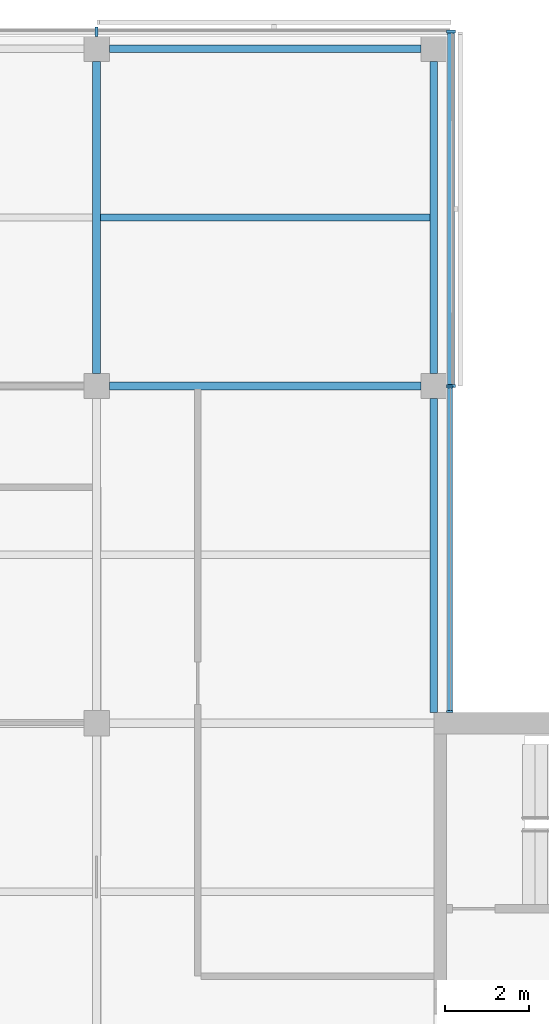
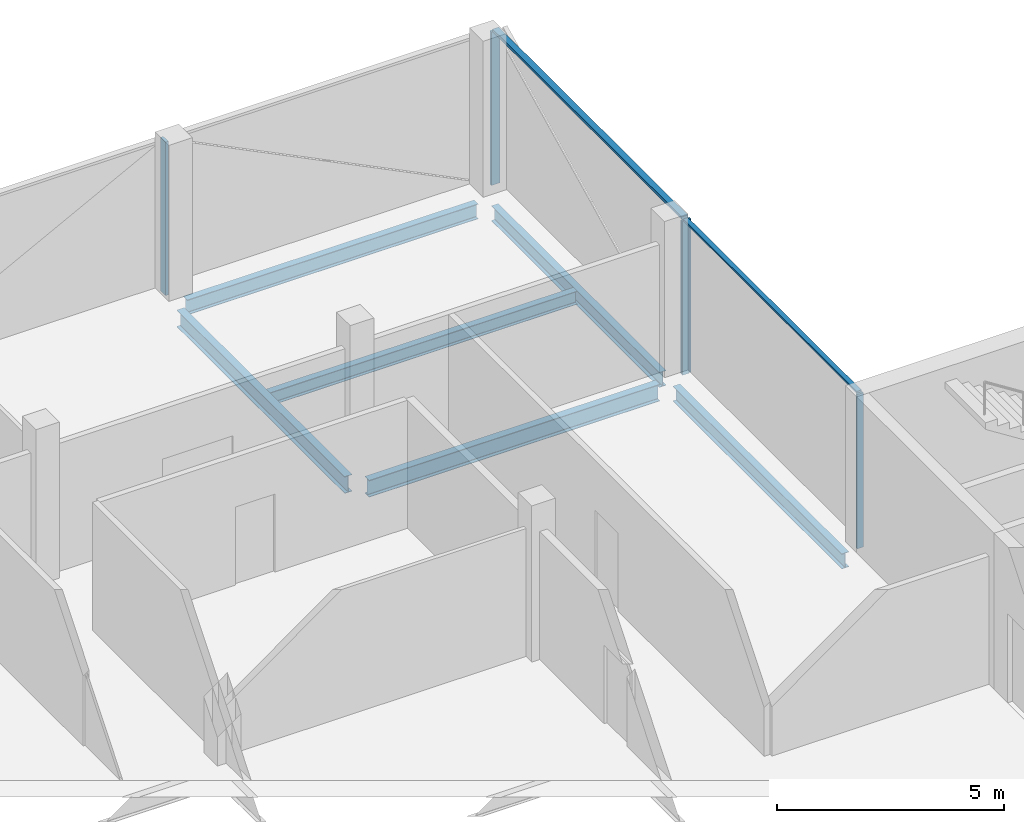
# One storey, part 7 of 15: 7 members, 6 beams, 3 elements without a shape of their own.
"""IFC4 building model written with IfcOpenShell, lengths in metres."""

from ifc_helpers import new_model, si_unit, direction, frame, origin, origin_2d, place, context, subcontext, project, spatial, rectangle, i_section, extrude, material, material_profile, profile_set, type_object, element, aggregate, save


model = new_model("IFC4")

# Units and contexts
model_context = context("Model", 3, precision=1e-05, world=origin(), true_north=direction((0.0, 1.0)))
body_context = subcontext(model_context, "Body", "Model", "MODEL_VIEW")
ifc_project = project(units=[si_unit("LENGTHUNIT", "METRE"), si_unit("AREAUNIT", "SQUARE_METRE"), si_unit("VOLUMEUNIT", "CUBIC_METRE"), si_unit("PLANEANGLEUNIT", "RADIAN"), si_unit("MASSUNIT", "GRAM", prefix="KILO")], contexts=[model_context])

# Site, building, storey
site_placement = place(None, origin())
site = spatial("IfcSite", under=ifc_project, at=site_placement, CompositionType="ELEMENT")
building_placement = place(site_placement, origin())
building = spatial("IfcBuilding", under=site, at=building_placement, Name="Crosswind Convention Tower", CompositionType="ELEMENT")
storey_placement = place(building_placement, frame((0.0, 0.0, 319.699951171875)))
storey = spatial("IfcBuildingStorey", under=building, at=storey_placement, Name="L69", CompositionType="ELEMENT", Elevation=319.699951171875)

# Beams
ifc_material_1 = material(Name="Steel S355", Category="steel")
ifc_material_profile_1 = material_profile(ifc_material_1, i_section(OverallWidth=0.177734375, OverallDepth=0.406494140625, WebThickness=0.0078125, FlangeThickness=0.0126953125, FilletRadius=0.01025390625, at=origin_2d()), Name="UB 406x178x60")
ifc_profile_set_1 = profile_set([ifc_material_profile_1], Name="Steel S355")
beam_type_1 = type_object("IfcBeamType", Name="Edge beam UB 406x178x60", PredefinedType="SPANDREL", material=ifc_profile_set_1)
beam_1_placement = place(storey_placement, frame((129.300048828125, 128.0, -0.503173828125), z_axis=(1.0, 0.0, 0.0), x_axis=(0.0, 1.0, 0.0)))
element("IfcBeam", 1, at=beam_1_placement, inside=storey, type_object=beam_type_1, Name="B15 L69 edge beam 10", PredefinedType="SPANDREL", context=body_context, shape_type="SweptSolid", body=[
    extrude(i_section(OverallWidth=0.177734375, OverallDepth=0.406494140625, WebThickness=0.0078125, FlangeThickness=0.0126953125, FilletRadius=0.01025390625, at=origin_2d()), origin(), (0.0, 0.0, 1.0), 7.39990234375),
])
beam_2_placement = place(storey_placement, frame((137.0, 112.25, -0.503173828125), z_axis=(0.0, 1.0, 0.0), x_axis=(-1.0, 0.0, 0.0)))
element("IfcBeam", 2, at=beam_2_placement, inside=storey, type_object=beam_type_1, Name="B15 L69 edge beam 13", PredefinedType="SPANDREL", context=body_context, shape_type="SweptSolid", body=[
    extrude(i_section(OverallWidth=0.177734375, OverallDepth=0.406494140625, WebThickness=0.0078125, FlangeThickness=0.0126953125, FilletRadius=0.01025390625, at=origin_2d()), origin(), (0.0, 0.0, 1.0), 7.449951171875),
])
beam_3_placement = place(storey_placement, frame((137.0, 120.300048828125, -0.503173828125), z_axis=(0.0, 1.0, 0.0), x_axis=(-1.0, 0.0, 0.0)))
element("IfcBeam", 3, at=beam_3_placement, inside=storey, type_object=beam_type_1, Name="B15 L69 edge beam 14", PredefinedType="SPANDREL", context=body_context, shape_type="SweptSolid", body=[
    extrude(i_section(OverallWidth=0.177734375, OverallDepth=0.406494140625, WebThickness=0.0078125, FlangeThickness=0.0126953125, FilletRadius=0.01025390625, at=origin_2d()), origin(), (0.0, 0.0, 1.0), 7.39990234375),
])
ifc_material_profile_2 = material_profile(ifc_material_1, i_section(OverallWidth=0.18994140625, OverallDepth=0.45361328125, WebThickness=0.008544921875, FlangeThickness=0.0126953125, FilletRadius=0.01025390625, at=origin_2d()), Name="UB 457x191x67")
ifc_profile_set_2 = profile_set([ifc_material_profile_2], Name="Steel S355")
beam_type_2 = type_object("IfcBeamType", Name="Girder UB 457x191x67", PredefinedType="BEAM", material=ifc_profile_set_2)
for number, where, z_axis, x_axis, name in (
    (4, (129.0, 120.300048828125, -0.52685546875), (0.0, 1.0, 0.0), (-1.0, 0.0, 0.0), "B1 L69 girder 22"),
    (5, (129.300048828125, 120.0, -0.52685546875), (1.0, 0.0, 0.0), (0.0, 1.0, 0.0), "B1 L69 girder 24"),
):
    element("IfcBeam", number, at=place(storey_placement, frame(where, z_axis=z_axis, x_axis=x_axis)), inside=storey, type_object=beam_type_2, Name=name, PredefinedType="BEAM", context=body_context, shape_type="SweptSolid", body=[
        extrude(i_section(OverallWidth=0.18994140625, OverallDepth=0.45361328125, WebThickness=0.008544921875, FlangeThickness=0.0126953125, FilletRadius=0.01025390625, at=origin_2d()), origin(), (0.0, 0.0, 1.0), 7.39990234375),
    ])

# Curtain wall, members
ifc_material_2 = material(Name="Aluminium unitised curtain wall", Category="aluminium")
curtain_wall_type_1 = type_object("IfcCurtainWallType", Name="CORE END SLOT WALL 160", PredefinedType="USERDEFINED", material=ifc_material_2)
curtain_wall_1_placement = place(storey_placement, origin())
curtain_wall_1 = element("IfcCurtainWall", 6, at=curtain_wall_1_placement, inside=storey, type_object=curtain_wall_type_1, Name="CW6 L69 N-E.1-1 slot", ObjectType="UNITISED", PredefinedType="USERDEFINED")
ifc_material_3 = material(Name="Aluminium mullion", Category="aluminium")
ifc_material_profile_3 = material_profile(ifc_material_3, rectangle(XDim=0.159912109375, YDim=0.050048828125, at=origin_2d()), Name="AL 160X50")
ifc_profile_set_3 = profile_set([ifc_material_profile_3], Name="Aluminium mullion")
member_type_1 = type_object("IfcMemberType", Name="MULLION 50X160", PredefinedType="MULLION", material=ifc_profile_set_3)
member_1_placement = place(storey_placement, frame((137.3798828125, 112.27490234375, -0.300048828125), z_axis=(0.0, 0.0, 1.0), x_axis=(1.0, 0.0, 0.0)))
member_1 = element("IfcMember", 7, at=member_1_placement, type_object=member_type_1, Name="CW6 mullion 1", PredefinedType="MULLION", context=body_context, shape_type="SweptSolid", body=[
    extrude(rectangle(XDim=0.159912109375, YDim=0.050048828125, at=origin_2d()), origin(), (0.0, 0.0, 1.0), 4.150146484375),
])
member_2_placement = place(storey_placement, frame((137.3798828125, 119.97509765625, -0.300048828125), z_axis=(0.0, 0.0, 1.0), x_axis=(1.0, 0.0, 0.0)))
member_2 = element("IfcMember", 8, at=member_2_placement, type_object=member_type_1, Name="CW6 mullion 2", PredefinedType="MULLION", context=body_context, shape_type="SweptSolid", body=[
    extrude(rectangle(XDim=0.159912109375, YDim=0.050048828125, at=origin_2d()), origin(), (0.0, 0.0, 1.0), 4.150146484375),
])

curtain_wall_type_2 = type_object("IfcCurtainWallType", Name="OFFICE UNITISED WALL 220", PredefinedType="USERDEFINED", material=ifc_material_2)
curtain_wall_2_placement = place(storey_placement, origin())
curtain_wall_2 = element("IfcCurtainWall", 9, at=curtain_wall_2_placement, inside=storey, type_object=curtain_wall_type_2, Name="CW3 L69 N-E 1", ObjectType="UNITISED", PredefinedType="USERDEFINED")
ifc_material_profile_4 = material_profile(ifc_material_3, rectangle(XDim=0.219970703125, YDim=0.070068359375, at=origin_2d()), Name="AL 220X70")
ifc_profile_set_4 = profile_set([ifc_material_profile_4], Name="Aluminium mullion")
member_type_2 = type_object("IfcMemberType", Name="MULLION 70X220", PredefinedType="MULLION", material=ifc_profile_set_4)
member_3_placement = place(storey_placement, frame((137.409912109375, 120.0, -0.300048828125), z_axis=(0.0, 0.0, 1.0), x_axis=(1.0, 0.0, 0.0)))
member_3 = element("IfcMember", 10, at=member_3_placement, type_object=member_type_2, Name="CW3 mullion 1", PredefinedType="MULLION", context=body_context, shape_type="SweptSolid", body=[
    extrude(rectangle(XDim=0.219970703125, YDim=0.070068359375, at=origin_2d()), origin(), (0.0, 0.0, 1.0), 4.130126953125),
])
member_4_placement = place(storey_placement, frame((137.409912109375, 128.409912109375, -0.300048828125), z_axis=(0.0, 0.0, 1.0), x_axis=(1.0, 0.0, 0.0)))
member_4 = element("IfcMember", 11, at=member_4_placement, type_object=member_type_2, Name="CW3 mullion 2", PredefinedType="MULLION", context=body_context, shape_type="SweptSolid", body=[
    extrude(rectangle(XDim=0.219970703125, YDim=0.070068359375, at=origin_2d()), origin(), (0.0, 0.0, 1.0), 4.130126953125),
])

# Curtain wall, member
curtain_wall_3_placement = place(storey_placement, origin())
curtain_wall_3 = element("IfcCurtainWall", 12, at=curtain_wall_3_placement, inside=storey, type_object=curtain_wall_type_2, Name="CW3 L69 N-TIP 1", ObjectType="UNITISED", PredefinedType="USERDEFINED")
member_5_placement = place(storey_placement, frame((129.0, 128.409912109375, -0.300048828125), z_axis=(0.0, 0.0, 1.0), x_axis=(0.0, 1.0, 0.0)))
member_5 = element("IfcMember", 13, at=member_5_placement, type_object=member_type_2, Name="CW3 mullion 2", PredefinedType="MULLION", context=body_context, shape_type="SweptSolid", body=[
    extrude(rectangle(XDim=0.219970703125, YDim=0.070068359375, at=origin_2d()), origin(), (0.0, 0.0, 1.0), 4.130126953125),
])
aggregate(curtain_wall_3, [member_5])

# Beam
ifc_material_profile_5 = material_profile(ifc_material_1, i_section(OverallWidth=0.17138671875, OverallDepth=0.355712890625, WebThickness=0.00732421875, FlangeThickness=0.011474609375, FilletRadius=0.01025390625, at=origin_2d()), Name="UB 356x171x51")
ifc_profile_set_5 = profile_set([ifc_material_profile_5], Name="Steel S355")
beam_type_3 = type_object("IfcBeamType", Name="Secondary beam UB 356x171x51", PredefinedType="JOIST", material=ifc_profile_set_5)
beam_4_placement = place(storey_placement, frame((129.094970703125, 124.0, -0.477783203125), z_axis=(1.0, 0.0, 0.0), x_axis=(0.0, 1.0, 0.0)))
element("IfcBeam", 14, at=beam_4_placement, inside=storey, type_object=beam_type_3, Name="B8 L69 secondary beam 21", PredefinedType="JOIST", context=body_context, shape_type="SweptSolid", body=[
    extrude(i_section(OverallWidth=0.17138671875, OverallDepth=0.355712890625, WebThickness=0.00732421875, FlangeThickness=0.011474609375, FilletRadius=0.01025390625, at=origin_2d()), origin(), (0.0, 0.0, 1.0), 7.816162109375),
])

# Member
ifc_material_4 = material(Name="Aluminium transom", Category="aluminium")
ifc_material_profile_6 = material_profile(ifc_material_4, rectangle(XDim=0.1201171875, YDim=0.050048828125, at=origin_2d()), Name="AL 120X50")
ifc_profile_set_6 = profile_set([ifc_material_profile_6], Name="Aluminium transom")
member_type_3 = type_object("IfcMemberType", Name="TRANSOM 50X120", PredefinedType="USERDEFINED", material=ifc_profile_set_6)
member_6_placement = place(storey_placement, frame((137.3798828125, 112.300048828125, 3.875), z_axis=(0.0, 1.0, 0.0), x_axis=(-1.0, 0.0, 0.0)))
member_6 = element("IfcMember", 15, at=member_6_placement, type_object=member_type_3, Name="CW6 transom", ObjectType="TRANSOM", PredefinedType="USERDEFINED", context=body_context, shape_type="SweptSolid", body=[
    extrude(rectangle(XDim=0.1201171875, YDim=0.050048828125, at=origin_2d()), origin(), (0.0, 0.0, 1.0), 7.64990234375),
])

aggregate(curtain_wall_1, [member_1, member_2, member_6])

ifc_material_profile_7 = material_profile(ifc_material_4, rectangle(XDim=0.159912109375, YDim=0.070068359375, at=origin_2d()), Name="AL 160X70")
ifc_profile_set_7 = profile_set([ifc_material_profile_7], Name="Aluminium transom")
member_type_4 = type_object("IfcMemberType", Name="TRANSOM 70X160", PredefinedType="USERDEFINED", material=ifc_profile_set_7)
member_7_placement = place(storey_placement, frame((137.409912109375, 120.034912109375, 3.864990234375), z_axis=(0.0, 1.0, 0.0), x_axis=(-1.0, 0.0, 0.0)))
member_7 = element("IfcMember", 16, at=member_7_placement, type_object=member_type_4, Name="CW3 transom", ObjectType="TRANSOM", PredefinedType="USERDEFINED", context=body_context, shape_type="SweptSolid", body=[
    extrude(rectangle(XDim=0.159912109375, YDim=0.070068359375, at=origin_2d()), origin(), (0.0, 0.0, 1.0), 8.340087890625),
])

aggregate(curtain_wall_2, [member_3, member_4, member_7])

save(model, "model.ifc")
